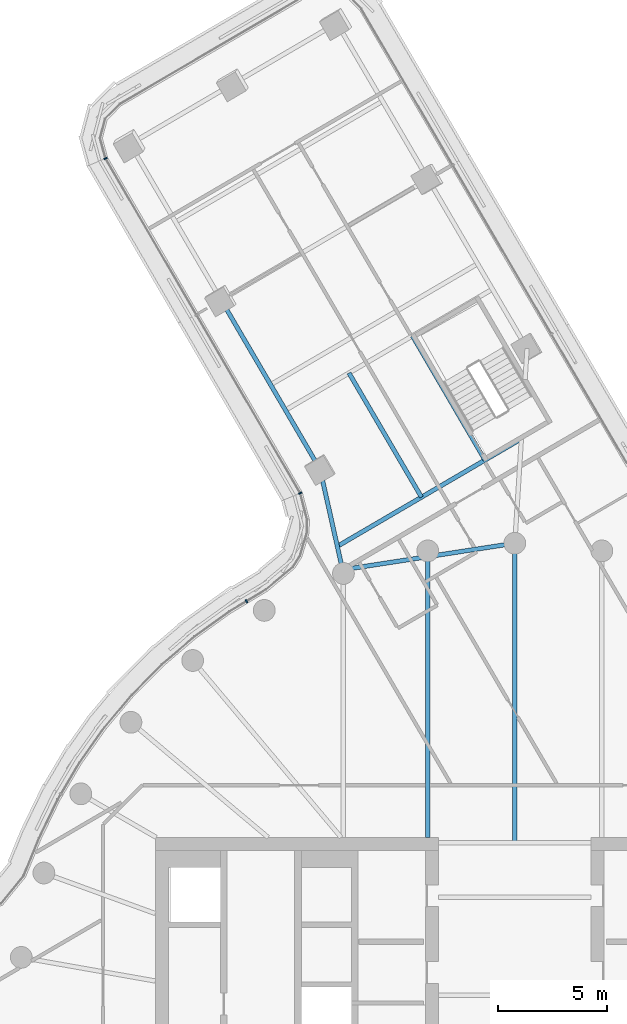
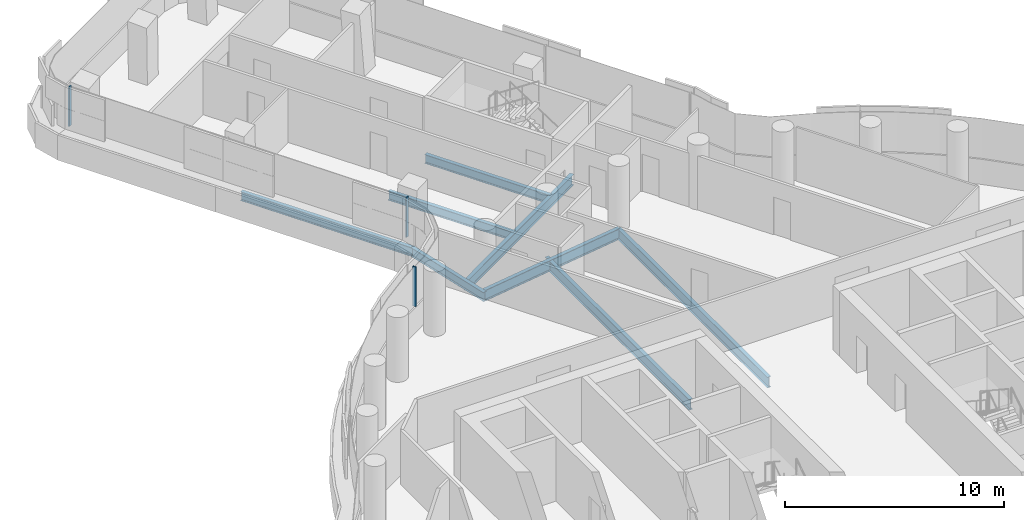
# One storey, part 14 of 35: 8 beams, 3 members, 2 elements without a shape of their own.
"""IFC4 building model written with IfcOpenShell, lengths in metres."""

from ifc_helpers import new_model, si_unit, direction, frame, origin, origin_2d, place, context, subcontext, project, spatial, rectangle, i_section, extrude, material, layer, layer_set, material_profile, profile_set, type_object, element, aggregate, save


model = new_model("IFC4")

# Units and contexts
model_context = context("Model", 3, precision=1e-05, world=origin(), true_north=direction((0.0, 1.0)))
body_context = subcontext(model_context, "Body", "Model", "MODEL_VIEW")
ifc_project = project(units=[si_unit("LENGTHUNIT", "METRE"), si_unit("AREAUNIT", "SQUARE_METRE"), si_unit("VOLUMEUNIT", "CUBIC_METRE"), si_unit("PLANEANGLEUNIT", "RADIAN"), si_unit("MASSUNIT", "GRAM", prefix="KILO")], contexts=[model_context])

# Site, building, storey
site_placement = place(None, origin())
site = spatial("IfcSite", under=ifc_project, at=site_placement, CompositionType="ELEMENT")
building_placement = place(site_placement, origin())
building = spatial("IfcBuilding", under=site, at=building_placement, Name="Tamarind Cross Interchange Tower", CompositionType="ELEMENT")
storey_placement = place(building_placement, frame((0.0, 0.0, 144.25)))
storey = spatial("IfcBuildingStorey", under=building, at=storey_placement, Name="L35", CompositionType="ELEMENT", Elevation=144.25)

# Beams
ifc_material_1 = material(Name="Steel Q355B", Category="steel")
ifc_material_profile_1 = material_profile(ifc_material_1, i_section(OverallWidth=0.198974609375, OverallDepth=0.49609375, WebThickness=0.009033203125, FlangeThickness=0.013916015625, FilletRadius=0.012939453125, at=origin_2d()), Name="HN 496x199x9x14")
ifc_profile_set_1 = profile_set([ifc_material_profile_1], Name="Steel Q355B")
beam_type_1 = type_object("IfcBeamType", Name="Composite beam HN 496x199x9x14 Q355B", PredefinedType="BEAM", material=ifc_profile_set_1)
beam_1_placement = place(storey_placement, frame((-13.476806640625, 34.162109375, -0.387939453125), z_axis=(0.504500003492, -0.863411690028, 0.0), x_axis=(0.863411690028, 0.504500003492, 0.0)))
element("IfcBeam", 1, at=beam_1_placement, inside=storey, type_object=beam_type_1, Name="Beam N-edgeep3", PredefinedType="BEAM", context=body_context, shape_type="SweptSolid", body=[
    extrude(i_section(OverallWidth=0.198974609375, OverallDepth=0.49609375, WebThickness=0.009033203125, FlangeThickness=0.013916015625, FilletRadius=0.012939453125, at=origin_2d()), origin(), (0.0, 0.0, 1.0), 9.0),
])
beam_2_placement = place(storey_placement, frame((-8.936279296875, 26.391357421875, -0.387939453125), z_axis=(0.218482265877, -0.975840919155, 0.0), x_axis=(0.975840919155, 0.218482265877, 0.0)))
element("IfcBeam", 2, at=beam_2_placement, inside=storey, type_object=beam_type_1, Name="Beam N-linkep", PredefinedType="BEAM", context=body_context, shape_type="SweptSolid", body=[
    extrude(i_section(OverallWidth=0.198974609375, OverallDepth=0.49609375, WebThickness=0.009033203125, FlangeThickness=0.013916015625, FilletRadius=0.012939453125, at=origin_2d()), origin(), (0.0, 0.0, 1.0), 4.896728515625),
])
beam_3_placement = place(storey_placement, frame((-1.36767578125, 26.818115234375, -0.387939453125), z_axis=(-0.504517168894, 0.863401659884, 0.0), x_axis=(-0.863401659884, -0.504517168894, 0.0)))
element("IfcBeam", 3, at=beam_3_placement, inside=storey, type_object=beam_type_1, Name="Beam N-tr1", PredefinedType="BEAM", context=body_context, shape_type="SweptSolid", body=[
    extrude(i_section(OverallWidth=0.198974609375, OverallDepth=0.49609375, WebThickness=0.009033203125, FlangeThickness=0.013916015625, FilletRadius=0.012939453125, at=origin_2d()), origin(), (0.0, 0.0, 1.0), 6.60009765625),
])
beam_4_placement = place(storey_placement, frame((-4.28173828125, 25.115478515625, -0.387939453125), z_axis=(-0.50448959289, 0.863417772961, 0.0), x_axis=(-0.863417772961, -0.50448959289, 0.0)))
element("IfcBeam", 4, at=beam_4_placement, inside=storey, type_object=beam_type_1, Name="Beam N-stripp", PredefinedType="BEAM", context=body_context, shape_type="SweptSolid", body=[
    extrude(i_section(OverallWidth=0.198974609375, OverallDepth=0.49609375, WebThickness=0.009033203125, FlangeThickness=0.013916015625, FilletRadius=0.012939453125, at=origin_2d()), origin(), (0.0, 0.0, 1.0), 6.599853515625),
])
ifc_material_profile_2 = material_profile(ifc_material_1, i_section(OverallWidth=0.198974609375, OverallDepth=0.595947265625, WebThickness=0.010009765625, FlangeThickness=0.014892578125, FilletRadius=0.012939453125, at=origin_2d()), Name="HN 596x199x10x15")
ifc_profile_set_2 = profile_set([ifc_material_profile_2], Name="Steel Q355B")
beam_type_2 = type_object("IfcBeamType", Name="Composite beam HN 596x199x10x15 Q355B", PredefinedType="BEAM", material=ifc_profile_set_2)
beam_5_placement = place(storey_placement, frame((0.0, 23.0, -0.43798828125), z_axis=(0.0, -1.0, 0.0), x_axis=(1.0, 0.0, 0.0)))
element("IfcBeam", 5, at=beam_5_placement, inside=storey, type_object=beam_type_2, Name="Beam HH09", PredefinedType="BEAM", context=body_context, shape_type="SweptSolid", body=[
    extrude(i_section(OverallWidth=0.198974609375, OverallDepth=0.595947265625, WebThickness=0.010009765625, FlangeThickness=0.014892578125, FilletRadius=0.012939453125, at=origin_2d()), origin(), (0.0, 0.0, 1.0), 13.75),
])
beam_6_placement = place(storey_placement, frame((-3.993896484375, 22.650634765625, -0.43798828125), z_axis=(0.0, -1.0, 0.0), x_axis=(1.0, 0.0, 0.0)))
element("IfcBeam", 6, at=beam_6_placement, inside=storey, type_object=beam_type_2, Name="Beam HH10", PredefinedType="BEAM", context=body_context, shape_type="SweptSolid", body=[
    extrude(i_section(OverallWidth=0.198974609375, OverallDepth=0.595947265625, WebThickness=0.010009765625, FlangeThickness=0.014892578125, FilletRadius=0.012939453125, at=origin_2d()), origin(), (0.0, 0.0, 1.0), 13.150634765625),
])
ifc_material_profile_3 = material_profile(ifc_material_1, i_section(OverallWidth=0.199951171875, OverallDepth=0.60009765625, WebThickness=0.010986328125, FlangeThickness=0.01708984375, FilletRadius=0.012939453125, at=origin_2d()), Name="HN 600x200x11x17")
ifc_profile_set_3 = profile_set([ifc_material_profile_3], Name="Steel Q355B")
beam_type_3 = type_object("IfcBeamType", Name="Composite beam HN 600x200x11x17 Q355B", PredefinedType="BEAM", material=ifc_profile_set_3)
beam_7_placement = place(storey_placement, frame((0.30078125, 27.793212890625, -0.43994140625), z_axis=(-0.863403005951, -0.504514865307, 0.0), x_axis=(0.504514865307, -0.863403005951, 0.0)))
element("IfcBeam", 7, at=beam_7_placement, inside=storey, type_object=beam_type_3, Name="Beam N-x268", PredefinedType="BEAM", context=body_context, shape_type="SweptSolid", body=[
    extrude(i_section(OverallWidth=0.199951171875, OverallDepth=0.60009765625, WebThickness=0.010986328125, FlangeThickness=0.01708984375, FilletRadius=0.012939453125, at=origin_2d()), origin(), (0.0, 0.0, 1.0), 9.7822265625),
])
beam_8_placement = place(storey_placement, frame((0.0, 23.0, -0.43994140625), z_axis=(-0.98834380084, -0.152238402977, 0.0), x_axis=(0.152238402977, -0.98834380084, 0.0)))
element("IfcBeam", 8, at=beam_8_placement, inside=storey, type_object=beam_type_3, Name="Beam N-x258", PredefinedType="BEAM", context=body_context, shape_type="SweptSolid", body=[
    extrude(i_section(OverallWidth=0.199951171875, OverallDepth=0.60009765625, WebThickness=0.010986328125, FlangeThickness=0.01708984375, FilletRadius=0.012939453125, at=origin_2d()), origin(), (0.0, 0.0, 1.0), 7.99755859375),
])

# Curtain wall, member
ifc_material_2 = material(Name="Aluminium 6063-T6", Category="aluminium")
ifc_layer = layer(ifc_material_2, 0.159912109375)
ifc_layer_set = layer_set([ifc_layer], Name="Aluminium 6063-T6")
curtain_wall_type = type_object("IfcCurtainWallType", Name="Office curtain wall, 9.0 m bays", PredefinedType="NOTDEFINED", material=ifc_layer_set)
curtain_wall_1_placement = place(storey_placement, origin())
curtain_wall_1 = element("IfcCurtainWall", 9, at=curtain_wall_1_placement, inside=storey, type_object=curtain_wall_type, Name="CWS-L35-13", PredefinedType="NOTDEFINED")
ifc_material_profile_4 = material_profile(ifc_material_2, rectangle(XDim=0.06005859375, YDim=0.159912109375, at=origin_2d()), Name="Mullion CW1")
ifc_profile_set_4 = profile_set([ifc_material_profile_4], Name="Aluminium 6063-T6")
member_type = type_object("IfcMemberType", Name="Mullion CW1", PredefinedType="MULLION", material=ifc_profile_set_4)
member_1_placement = place(storey_placement, frame((-18.780517578125, 40.661865234375, 1.39990234375), z_axis=(0.0, 0.0, 1.0), x_axis=(0.386538338525, -0.922273339553, 0.0)))
member_1 = element("IfcMember", 10, at=member_1_placement, type_object=member_type, Name="CWM-L35-13-00", PredefinedType="MULLION", context=body_context, shape_type="SweptSolid", body=[
    extrude(rectangle(XDim=0.06005859375, YDim=0.159912109375, at=origin_2d()), origin(), (0.0, 0.0, 1.0), 2.210205078125),
])
aggregate(curtain_wall_1, [member_1])

# Curtain wall, members
curtain_wall_2_placement = place(storey_placement, origin())
curtain_wall_2 = element("IfcCurtainWall", 11, at=curtain_wall_2_placement, inside=storey, type_object=curtain_wall_type, Name="CWS-L35-14", PredefinedType="NOTDEFINED")
member_2_placement = place(storey_placement, frame((-9.84716796875, 25.300048828125, 1.39990234375), z_axis=(0.0, 0.0, 1.0), x_axis=(0.380834688252, -0.924643142095, 0.0)))
member_2 = element("IfcMember", 12, at=member_2_placement, type_object=member_type, Name="CWM-L35-14-00", PredefinedType="MULLION", context=body_context, shape_type="SweptSolid", body=[
    extrude(rectangle(XDim=0.06005859375, YDim=0.159912109375, at=origin_2d()), origin(), (0.0, 0.0, 1.0), 2.210205078125),
])
member_3_placement = place(storey_placement, frame((-12.315185546875, 20.33740234375, 1.39990234375), z_axis=(0.0, 0.0, 1.0), x_axis=(-0.856828084362, -0.515602205046, 0.0)))
member_3 = element("IfcMember", 13, at=member_3_placement, type_object=member_type, Name="CWM-L35-14-01", PredefinedType="MULLION", context=body_context, shape_type="SweptSolid", body=[
    extrude(rectangle(XDim=0.06005859375, YDim=0.159912109375, at=origin_2d()), origin(), (0.0, 0.0, 1.0), 2.210205078125),
])
aggregate(curtain_wall_2, [member_2, member_3])

save(model, "model.ifc")
